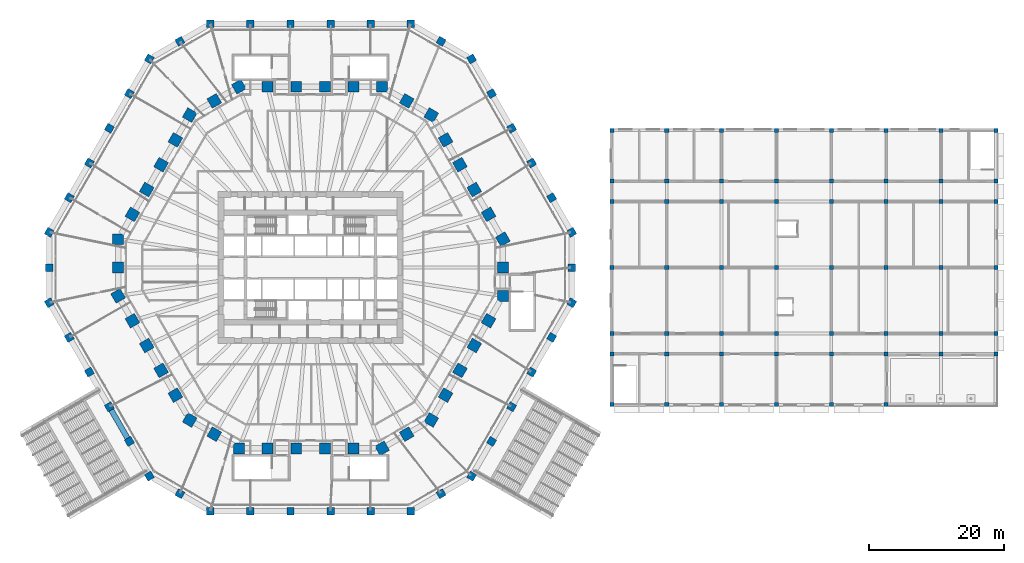
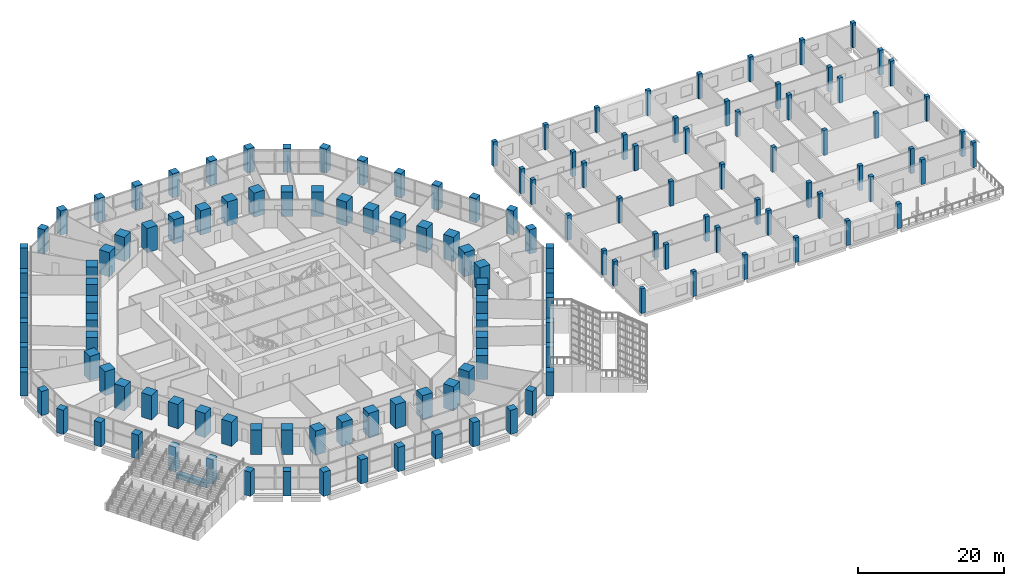
# One storey, part 1 of 38: 138 columns, 1 beam.
"""IFC4 building model written with IfcOpenShell, lengths in metres."""

from ifc_helpers import new_model, si_unit, direction, frame, origin, origin_2d, place, context, subcontext, project, spatial, rectangle, extrude, material, material_profile, profile_set, type_object, element, save


model = new_model("IFC4")

# Units and contexts
model_context = context("Model", 3, precision=1e-05, world=origin(), true_north=direction((0.0, 1.0)))
body_context = subcontext(model_context, "Body", "Model", "MODEL_VIEW")
ifc_project = project(units=[si_unit("LENGTHUNIT", "METRE"), si_unit("AREAUNIT", "SQUARE_METRE"), si_unit("VOLUMEUNIT", "CUBIC_METRE"), si_unit("PLANEANGLEUNIT", "RADIAN"), si_unit("MASSUNIT", "GRAM", prefix="KILO")], contexts=[model_context])

# Site, building, storey
site_placement = place(None, origin())
site = spatial("IfcSite", under=ifc_project, at=site_placement, CompositionType="ELEMENT")
building_placement = place(site_placement, origin())
building = spatial("IfcBuilding", under=site, at=building_placement, Name="Frailejon Research Tower", CompositionType="ELEMENT")
storey_placement = place(building_placement, frame((0.0, 0.0, 10.199951171875)))
storey = spatial("IfcBuildingStorey", under=building, at=storey_placement, Name="L02", CompositionType="ELEMENT", Elevation=10.199951171875)

# Columns
ifc_material_1 = material(Name="Concrete C70/85", Category="concrete")
ifc_material_profile_1 = material_profile(ifc_material_1, rectangle(XDim=1.60009765625, YDim=1.60009765625, at=origin_2d()), Name="Column 1600")
ifc_profile_set_1 = profile_set([ifc_material_profile_1], Name="Concrete C70/85")
column_type_1 = type_object("IfcColumnType", Name="Column 1600", PredefinedType="COLUMN", material=ifc_profile_set_1)
for number, where, z_axis, x_axis, name in (
    (1, (28.412841796875, -4.1875, 0.0), (0.0, 0.0, 1.0), (0.0, 1.0, 0.0), "Column C01"),
    (2, (28.412841796875, 0.0, 0.0), (0.0, 0.0, 1.0), (0.0, 1.0, 0.0), "Column C02"),
    (3, (28.412841796875, 4.1875, 0.0), (0.0, 0.0, 1.0), (-0.5, 0.866025403784, 0.0), "Column C03"),
    (4, (26.296875, 7.8525390625, 0.0), (0.0, 0.0, 1.0), (-0.5, 0.866025403784, 0.0), "Column C04"),
    (5, (24.180908203125, 11.517578125, 0.0), (0.0, 0.0, 1.0), (-0.5, 0.866025403784, 0.0), "Column C05"),
    (6, (22.06494140625, 15.1826171875, 0.0), (0.0, 0.0, 1.0), (-0.5, 0.866025403784, 0.0), "Column C06"),
    (7, (19.948974609375, 18.847412109375, 0.0), (0.0, 0.0, 1.0), (-0.5, 0.866025403784, 0.0), "Column C07"),
    (8, (17.8330078125, 22.512451171875, 0.0), (0.0, 0.0, 1.0), (-0.866025403784, 0.5, 0.0), "Column C08"),
    (9, (14.206298828125, 24.606201171875, 0.0), (0.0, 0.0, 1.0), (-0.866025403784, 0.5, 0.0), "Column C09"),
    (10, (10.579833984375, 26.699951171875, 0.0), (0.0, 0.0, 1.0), (-1.0, 0.0, 0.0), "Column C10"),
    (11, (6.347900390625, 26.699951171875, 0.0), (0.0, 0.0, 1.0), (-1.0, 0.0, 0.0), "Column C11"),
    (12, (2.115966796875, 26.699951171875, 0.0), (0.0, 0.0, 1.0), (-1.0, 0.0, 0.0), "Column C12"),
    (13, (-2.115966796875, 26.699951171875, 0.0), (0.0, 0.0, 1.0), (-1.0, 0.0, 0.0), "Column C13"),
    (14, (-6.347900390625, 26.699951171875, 0.0), (0.0, 0.0, 1.0), (-1.0, 0.0, 0.0), "Column C14"),
    (15, (-10.579833984375, 26.699951171875, 0.0), (0.0, 0.0, 1.0), (-0.866025403784, -0.5, 0.0), "Column C15"),
    (16, (-14.206298828125, 24.606201171875, 0.0), (0.0, 0.0, 1.0), (-0.866025403784, -0.5, 0.0), "Column C16"),
    (17, (-17.8330078125, 22.512451171875, 0.0), (0.0, 0.0, 1.0), (-0.5, -0.866025403784, 0.0), "Column C17"),
    (18, (-19.948974609375, 18.847412109375, 0.0), (0.0, 0.0, 1.0), (-0.5, -0.866025403784, 0.0), "Column C18"),
    (19, (-22.06494140625, 15.1826171875, 0.0), (0.0, 0.0, 1.0), (-0.5, -0.866025403784, 0.0), "Column C19"),
    (20, (-24.180908203125, 11.517578125, 0.0), (0.0, 0.0, 1.0), (-0.5, -0.866025403784, 0.0), "Column C20"),
    (21, (-26.296875, 7.8525390625, 0.0), (0.0, 0.0, 1.0), (-0.5, -0.866025403784, 0.0), "Column C21"),
    (22, (-28.412841796875, 4.1875, 0.0), (0.0, 0.0, 1.0), (0.0, -1.0, 0.0), "Column C22"),
    (23, (-28.412841796875, 0.0, 0.0), (0.0, 0.0, 1.0), (0.0, -1.0, 0.0), "Column C23"),
    (24, (-28.412841796875, -4.1875, 0.0), (0.0, 0.0, 1.0), (0.5, -0.866025403784, 0.0), "Column C24"),
    (25, (-26.296875, -7.8525390625, 0.0), (0.0, 0.0, 1.0), (0.5, -0.866025403784, 0.0), "Column C25"),
    (26, (-24.180908203125, -11.517578125, 0.0), (0.0, 0.0, 1.0), (0.5, -0.866025403784, 0.0), "Column C26"),
    (27, (-22.06494140625, -15.1826171875, 0.0), (0.0, 0.0, 1.0), (0.5, -0.866025403784, 0.0), "Column C27"),
    (28, (-19.948974609375, -18.847412109375, 0.0), (0.0, 0.0, 1.0), (0.5, -0.866025403784, 0.0), "Column C28"),
    (29, (-17.8330078125, -22.512451171875, 0.0), (0.0, 0.0, 1.0), (0.866025403784, -0.5, 0.0), "Column C29"),
    (30, (-14.206298828125, -24.606201171875, 0.0), (0.0, 0.0, 1.0), (0.866025403784, -0.5, 0.0), "Column C30"),
    (31, (-10.579833984375, -26.699951171875, 0.0), (0.0, 0.0, 1.0), (1.0, 0.0, 0.0), "Column C31"),
    (32, (-6.347900390625, -26.699951171875, 0.0), (0.0, 0.0, 1.0), (1.0, 0.0, 0.0), "Column C32"),
    (33, (-2.115966796875, -26.699951171875, 0.0), (0.0, 0.0, 1.0), (1.0, 0.0, 0.0), "Column C33"),
    (34, (2.115966796875, -26.699951171875, 0.0), (0.0, 0.0, 1.0), (1.0, 0.0, 0.0), "Column C34"),
    (35, (6.347900390625, -26.699951171875, 0.0), (0.0, 0.0, 1.0), (1.0, 0.0, 0.0), "Column C35"),
    (36, (10.579833984375, -26.699951171875, 0.0), (0.0, 0.0, 1.0), (0.866025403784, 0.5, 0.0), "Column C36"),
    (37, (14.206298828125, -24.606201171875, 0.0), (0.0, 0.0, 1.0), (0.866025403784, 0.5, 0.0), "Column C37"),
    (38, (17.8330078125, -22.512451171875, 0.0), (0.0, 0.0, 1.0), (0.5, 0.866025403784, 0.0), "Column C38"),
    (39, (19.948974609375, -18.847412109375, 0.0), (0.0, 0.0, 1.0), (0.5, 0.866025403784, 0.0), "Column C39"),
    (40, (22.06494140625, -15.1826171875, 0.0), (0.0, 0.0, 1.0), (0.5, 0.866025403784, 0.0), "Column C40"),
    (41, (24.180908203125, -11.517578125, 0.0), (0.0, 0.0, 1.0), (0.5, 0.866025403784, 0.0), "Column C41"),
    (42, (26.296875, -7.8525390625, 0.0), (0.0, 0.0, 1.0), (0.5, 0.866025403784, 0.0), "Column C42"),
):
    element("IfcColumn", number, at=place(storey_placement, frame(where, z_axis=z_axis, x_axis=x_axis)), inside=storey, type_object=column_type_1, Name=name, PredefinedType="COLUMN", context=body_context, shape_type="SweptSolid", body=[
        extrude(rectangle(XDim=1.60009765625, YDim=1.60009765625, at=origin_2d()), origin(), (0.0, 0.0, 1.0), 4.050048828125),
    ])
ifc_material_2 = material(Name="Concrete C60/75", Category="concrete")
ifc_material_profile_2 = material_profile(ifc_material_2, rectangle(XDim=1.10009765625, YDim=1.10009765625, at=origin_2d()), Name="Column base ring 1100")
ifc_profile_set_2 = profile_set([ifc_material_profile_2], Name="Concrete C60/75")
column_type_2 = type_object("IfcColumnType", Name="Column base ring 1100", PredefinedType="COLUMN", material=ifc_profile_set_2)
for number, where, z_axis, x_axis, name in (
    (43, (38.569091796875, -5.1962890625, 0.0), (0.0, 0.0, 1.0), (0.5, 0.866025403784, 0.0), "Column B01"),
    (44, (38.569091796875, 0.0, 0.0), (0.0, 0.0, 1.0), (0.0, 1.0, 0.0), "Column B02"),
    (45, (38.569091796875, 5.1962890625, 0.0), (0.0, 0.0, 1.0), (-0.5, 0.866025403784, 0.0), "Column B03"),
    (46, (35.6123046875, 10.317626953125, 0.0), (0.0, 0.0, 1.0), (-0.5, 0.866025403784, 0.0), "Column B04"),
    (47, (32.655517578125, 15.439208984375, 0.0), (0.0, 0.0, 1.0), (-0.5, 0.866025403784, 0.0), "Column B05"),
    (48, (29.698486328125, 20.560791015625, 0.0), (0.0, 0.0, 1.0), (-0.5, 0.866025403784, 0.0), "Column B06"),
    (49, (26.741455078125, 25.682373046875, 0.0), (0.0, 0.0, 1.0), (-0.5, 0.866025403784, 0.0), "Column B07"),
    (50, (23.78466796875, 30.8037109375, 0.0), (0.0, 0.0, 1.0), (-0.5, 0.866025403784, 0.0), "Column B08"),
    (51, (19.28466796875, 33.40185546875, 0.0), (0.0, 0.0, 1.0), (-0.866025403784, 0.5, 0.0), "Column B09"),
    (52, (14.78466796875, 36.0, 0.0), (0.0, 0.0, 1.0), (-1.0, 0.0, 0.0), "Column B10"),
    (53, (8.870849609375, 36.0, 0.0), (0.0, 0.0, 1.0), (-1.0, 0.0, 0.0), "Column B11"),
    (54, (2.956787109375, 36.0, 0.0), (0.0, 0.0, 1.0), (-1.0, 0.0, 0.0), "Column B12"),
    (55, (-2.956787109375, 36.0, 0.0), (0.0, 0.0, 1.0), (-1.0, 0.0, 0.0), "Column B13"),
    (56, (-8.870849609375, 36.0, 0.0), (0.0, 0.0, 1.0), (-1.0, 0.0, 0.0), "Column B14"),
    (57, (-14.78466796875, 36.0, 0.0), (0.0, 0.0, 1.0), (-1.0, 0.0, 0.0), "Column B15"),
    (58, (-19.28466796875, 33.40185546875, 0.0), (0.0, 0.0, 1.0), (-0.866025403784, -0.5, 0.0), "Column B16"),
    (59, (-23.78466796875, 30.8037109375, 0.0), (0.0, 0.0, 1.0), (-0.5, -0.866025403784, 0.0), "Column B17"),
    (60, (-26.741455078125, 25.682373046875, 0.0), (0.0, 0.0, 1.0), (-0.5, -0.866025403784, 0.0), "Column B18"),
    (61, (-29.698486328125, 20.560791015625, 0.0), (0.0, 0.0, 1.0), (-0.5, -0.866025403784, 0.0), "Column B19"),
    (62, (-32.655517578125, 15.439208984375, 0.0), (0.0, 0.0, 1.0), (-0.5, -0.866025403784, 0.0), "Column B20"),
    (63, (-35.6123046875, 10.317626953125, 0.0), (0.0, 0.0, 1.0), (-0.5, -0.866025403784, 0.0), "Column B21"),
    (64, (-38.569091796875, 5.1962890625, 0.0), (0.0, 0.0, 1.0), (-0.5, -0.866025403784, 0.0), "Column B22"),
    (65, (-38.569091796875, 0.0, 0.0), (0.0, 0.0, 1.0), (0.0, -1.0, 0.0), "Column B23"),
    (66, (-38.569091796875, -5.1962890625, 0.0), (0.0, 0.0, 1.0), (0.5, -0.866025403784, 0.0), "Column B24"),
    (67, (-35.6123046875, -10.317626953125, 0.0), (0.0, 0.0, 1.0), (0.5, -0.866025403784, 0.0), "Column B25"),
    (68, (-32.655517578125, -15.439208984375, 0.0), (0.0, 0.0, 1.0), (0.5, -0.866025403784, 0.0), "Column B26"),
    (69, (-29.698486328125, -20.560791015625, 0.0), (0.0, 0.0, 1.0), (0.5, -0.866025403784, 0.0), "Column B27"),
    (70, (-26.741455078125, -25.682373046875, 0.0), (0.0, 0.0, 1.0), (0.5, -0.866025403784, 0.0), "Column B28"),
    (71, (-23.78466796875, -30.8037109375, 0.0), (0.0, 0.0, 1.0), (0.5, -0.866025403784, 0.0), "Column B29"),
    (72, (-19.28466796875, -33.40185546875, 0.0), (0.0, 0.0, 1.0), (0.866025403784, -0.5, 0.0), "Column B30"),
    (73, (-14.78466796875, -36.0, 0.0), (0.0, 0.0, 1.0), (1.0, 0.0, 0.0), "Column B31"),
    (74, (-8.870849609375, -36.0, 0.0), (0.0, 0.0, 1.0), (1.0, 0.0, 0.0), "Column B32"),
    (75, (-2.956787109375, -36.0, 0.0), (0.0, 0.0, 1.0), (1.0, 0.0, 0.0), "Column B33"),
    (76, (2.956787109375, -36.0, 0.0), (0.0, 0.0, 1.0), (1.0, 0.0, 0.0), "Column B34"),
    (77, (8.870849609375, -36.0, 0.0), (0.0, 0.0, 1.0), (1.0, 0.0, 0.0), "Column B35"),
    (78, (14.78466796875, -36.0, 0.0), (0.0, 0.0, 1.0), (1.0, 0.0, 0.0), "Column B36"),
    (79, (19.28466796875, -33.40185546875, 0.0), (0.0, 0.0, 1.0), (0.866025403784, 0.5, 0.0), "Column B37"),
    (80, (23.78466796875, -30.8037109375, 0.0), (0.0, 0.0, 1.0), (0.5, 0.866025403784, 0.0), "Column B38"),
    (81, (26.741455078125, -25.682373046875, 0.0), (0.0, 0.0, 1.0), (0.5, 0.866025403784, 0.0), "Column B39"),
    (82, (29.698486328125, -20.560791015625, 0.0), (0.0, 0.0, 1.0), (0.5, 0.866025403784, 0.0), "Column B40"),
    (83, (32.655517578125, -15.439208984375, 0.0), (0.0, 0.0, 1.0), (0.5, 0.866025403784, 0.0), "Column B41"),
    (84, (35.6123046875, -10.317626953125, 0.0), (0.0, 0.0, 1.0), (0.5, 0.866025403784, 0.0), "Column B42"),
):
    element("IfcColumn", number, at=place(storey_placement, frame(where, z_axis=z_axis, x_axis=x_axis)), inside=storey, type_object=column_type_2, Name=name, PredefinedType="COLUMN", context=body_context, shape_type="SweptSolid", body=[
        extrude(rectangle(XDim=1.10009765625, YDim=1.10009765625, at=origin_2d()), origin(), (0.0, 0.0, 1.0), 4.050048828125),
    ])
ifc_material_3 = material(Name="Concrete C35/45", Category="concrete")
ifc_material_profile_3 = material_profile(ifc_material_3, rectangle(XDim=0.60009765625, YDim=0.60009765625, at=origin_2d()), Name="HC column 600x600")
ifc_profile_set_3 = profile_set([ifc_material_profile_3], Name="Concrete C35/45")
column_type_3 = type_object("IfcColumnType", Name="HC column 600x600", PredefinedType="COLUMN", material=ifc_profile_set_3)
for number, where, z_axis, x_axis, name in (
    (85, (44.5, -20.25, 0.0), (0.0, 0.0, 1.0), (1.0, 0.0, 0.0), "HC column A1 L02"),
    (86, (52.60009765625, -20.25, 0.0), (0.0, 0.0, 1.0), (1.0, 0.0, 0.0), "HC column A2 L02"),
    (87, (60.699951171875, -20.25, 0.0), (0.0, 0.0, 1.0), (1.0, 0.0, 0.0), "HC column A3 L02"),
    (88, (68.800048828125, -20.25, 0.0), (0.0, 0.0, 1.0), (1.0, 0.0, 0.0), "HC column A4 L02"),
    (89, (76.89990234375, -20.25, 0.0), (0.0, 0.0, 1.0), (1.0, 0.0, 0.0), "HC column A5 L02"),
    (90, (85.0, -20.25, 0.0), (0.0, 0.0, 1.0), (1.0, 0.0, 0.0), "HC column A6 L02"),
    (91, (44.5, -12.75, 0.0), (0.0, 0.0, 1.0), (1.0, 0.0, 0.0), "HC column B1 L02"),
    (92, (52.60009765625, -12.75, 0.0), (0.0, 0.0, 1.0), (1.0, 0.0, 0.0), "HC column B2 L02"),
    (93, (60.699951171875, -12.75, 0.0), (0.0, 0.0, 1.0), (1.0, 0.0, 0.0), "HC column B3 L02"),
    (94, (68.800048828125, -12.75, 0.0), (0.0, 0.0, 1.0), (1.0, 0.0, 0.0), "HC column B4 L02"),
    (95, (76.89990234375, -12.75, 0.0), (0.0, 0.0, 1.0), (1.0, 0.0, 0.0), "HC column B5 L02"),
    (96, (85.0, -12.75, 0.0), (0.0, 0.0, 1.0), (1.0, 0.0, 0.0), "HC column B6 L02"),
    (97, (93.10009765625, -12.75, 0.0), (0.0, 0.0, 1.0), (1.0, 0.0, 0.0), "HC column B7 L02"),
    (98, (101.199951171875, -12.75, 0.0), (0.0, 0.0, 1.0), (1.0, 0.0, 0.0), "HC column B8 L02"),
    (99, (44.5, -9.75, 0.0), (0.0, 0.0, 1.0), (1.0, 0.0, 0.0), "HC column C1 L02"),
    (100, (52.60009765625, -9.75, 0.0), (0.0, 0.0, 1.0), (1.0, 0.0, 0.0), "HC column C2 L02"),
    (101, (60.699951171875, -9.75, 0.0), (0.0, 0.0, 1.0), (1.0, 0.0, 0.0), "HC column C3 L02"),
    (102, (68.800048828125, -9.75, 0.0), (0.0, 0.0, 1.0), (1.0, 0.0, 0.0), "HC column C4 L02"),
    (103, (76.89990234375, -9.75, 0.0), (0.0, 0.0, 1.0), (1.0, 0.0, 0.0), "HC column C5 L02"),
    (104, (85.0, -9.75, 0.0), (0.0, 0.0, 1.0), (1.0, 0.0, 0.0), "HC column C6 L02"),
    (105, (93.10009765625, -9.75, 0.0), (0.0, 0.0, 1.0), (1.0, 0.0, 0.0), "HC column C7 L02"),
    (106, (101.199951171875, -9.75, 0.0), (0.0, 0.0, 1.0), (1.0, 0.0, 0.0), "HC column C8 L02"),
    (107, (44.5, 0.0, 0.0), (0.0, 0.0, 1.0), (1.0, 0.0, 0.0), "HC column D1 L02"),
    (108, (52.60009765625, 0.0, 0.0), (0.0, 0.0, 1.0), (1.0, 0.0, 0.0), "HC column D2 L02"),
    (109, (60.699951171875, 0.0, 0.0), (0.0, 0.0, 1.0), (1.0, 0.0, 0.0), "HC column D3 L02"),
    (110, (68.800048828125, 0.0, 0.0), (0.0, 0.0, 1.0), (1.0, 0.0, 0.0), "HC column D4 L02"),
    (111, (76.89990234375, 0.0, 0.0), (0.0, 0.0, 1.0), (1.0, 0.0, 0.0), "HC column D5 L02"),
    (112, (85.0, 0.0, 0.0), (0.0, 0.0, 1.0), (1.0, 0.0, 0.0), "HC column D6 L02"),
    (113, (93.10009765625, 0.0, 0.0), (0.0, 0.0, 1.0), (1.0, 0.0, 0.0), "HC column D7 L02"),
    (114, (101.199951171875, 0.0, 0.0), (0.0, 0.0, 1.0), (1.0, 0.0, 0.0), "HC column D8 L02"),
    (115, (44.5, 9.75, 0.0), (0.0, 0.0, 1.0), (1.0, 0.0, 0.0), "HC column E1 L02"),
    (116, (52.60009765625, 9.75, 0.0), (0.0, 0.0, 1.0), (1.0, 0.0, 0.0), "HC column E2 L02"),
    (117, (60.699951171875, 9.75, 0.0), (0.0, 0.0, 1.0), (1.0, 0.0, 0.0), "HC column E3 L02"),
    (118, (68.800048828125, 9.75, 0.0), (0.0, 0.0, 1.0), (1.0, 0.0, 0.0), "HC column E4 L02"),
    (119, (76.89990234375, 9.75, 0.0), (0.0, 0.0, 1.0), (1.0, 0.0, 0.0), "HC column E5 L02"),
    (120, (85.0, 9.75, 0.0), (0.0, 0.0, 1.0), (1.0, 0.0, 0.0), "HC column E6 L02"),
    (121, (93.10009765625, 9.75, 0.0), (0.0, 0.0, 1.0), (1.0, 0.0, 0.0), "HC column E7 L02"),
    (122, (101.199951171875, 9.75, 0.0), (0.0, 0.0, 1.0), (1.0, 0.0, 0.0), "HC column E8 L02"),
    (123, (44.5, 12.75, 0.0), (0.0, 0.0, 1.0), (1.0, 0.0, 0.0), "HC column F1 L02"),
    (124, (52.60009765625, 12.75, 0.0), (0.0, 0.0, 1.0), (1.0, 0.0, 0.0), "HC column F2 L02"),
    (125, (60.699951171875, 12.75, 0.0), (0.0, 0.0, 1.0), (1.0, 0.0, 0.0), "HC column F3 L02"),
    (126, (68.800048828125, 12.75, 0.0), (0.0, 0.0, 1.0), (1.0, 0.0, 0.0), "HC column F4 L02"),
    (127, (76.89990234375, 12.75, 0.0), (0.0, 0.0, 1.0), (1.0, 0.0, 0.0), "HC column F5 L02"),
    (128, (85.0, 12.75, 0.0), (0.0, 0.0, 1.0), (1.0, 0.0, 0.0), "HC column F6 L02"),
    (129, (93.10009765625, 12.75, 0.0), (0.0, 0.0, 1.0), (1.0, 0.0, 0.0), "HC column F7 L02"),
    (130, (101.199951171875, 12.75, 0.0), (0.0, 0.0, 1.0), (1.0, 0.0, 0.0), "HC column F8 L02"),
    (131, (44.5, 20.25, 0.0), (0.0, 0.0, 1.0), (1.0, 0.0, 0.0), "HC column G1 L02"),
    (132, (52.60009765625, 20.25, 0.0), (0.0, 0.0, 1.0), (1.0, 0.0, 0.0), "HC column G2 L02"),
    (133, (60.699951171875, 20.25, 0.0), (0.0, 0.0, 1.0), (1.0, 0.0, 0.0), "HC column G3 L02"),
    (134, (68.800048828125, 20.25, 0.0), (0.0, 0.0, 1.0), (1.0, 0.0, 0.0), "HC column G4 L02"),
    (135, (76.89990234375, 20.25, 0.0), (0.0, 0.0, 1.0), (1.0, 0.0, 0.0), "HC column G5 L02"),
    (136, (85.0, 20.25, 0.0), (0.0, 0.0, 1.0), (1.0, 0.0, 0.0), "HC column G6 L02"),
    (137, (93.10009765625, 20.25, 0.0), (0.0, 0.0, 1.0), (1.0, 0.0, 0.0), "HC column G7 L02"),
    (138, (101.199951171875, 20.25, 0.0), (0.0, 0.0, 1.0), (1.0, 0.0, 0.0), "HC column G8 L02"),
):
    element("IfcColumn", number, at=place(storey_placement, frame(where, z_axis=z_axis, x_axis=x_axis)), inside=storey, type_object=column_type_3, Name=name, PredefinedType="COLUMN", context=body_context, shape_type="SweptSolid", body=[
        extrude(rectangle(XDim=0.60009765625, YDim=0.60009765625, at=origin_2d()), origin(), (0.0, 0.0, 1.0), 4.150146484375),
    ])

# Beam
ifc_material_4 = material(Name="Concrete C60/75", Category="concrete")
ifc_material_profile_4 = material_profile(ifc_material_4, rectangle(XDim=0.800048828125, YDim=0.800048828125, at=origin_2d()), Name="Base ring beam")
ifc_profile_set_4 = profile_set([ifc_material_profile_4], Name="Concrete C60/75")
beam_type = type_object("IfcBeamType", Name="Base ring beam", PredefinedType="BEAM", material=ifc_profile_set_4)
beam_placement = place(storey_placement, frame((-29.423583984375, -21.037109375, -0.75), z_axis=(0.50000634465, -0.866021740668, 0.0), x_axis=(0.866021740668, 0.50000634465, 0.0)))
element("IfcBeam", 139, at=beam_placement, inside=storey, type_object=beam_type, Name="Base ring beam", PredefinedType="BEAM", context=body_context, shape_type="SweptSolid", body=[
    extrude(rectangle(XDim=0.800048828125, YDim=0.800048828125, at=origin_2d()), origin(), (0.0, 0.0, 1.0), 4.81396484375),
])

save(model, "model.ifc")
